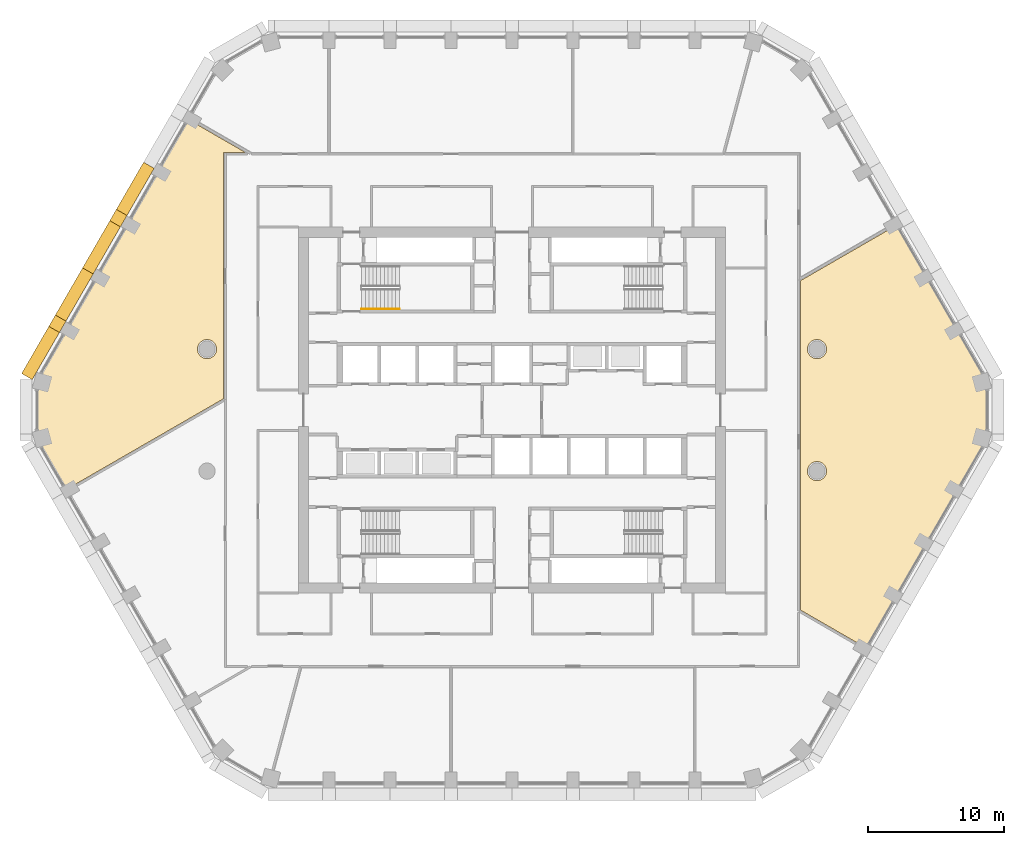
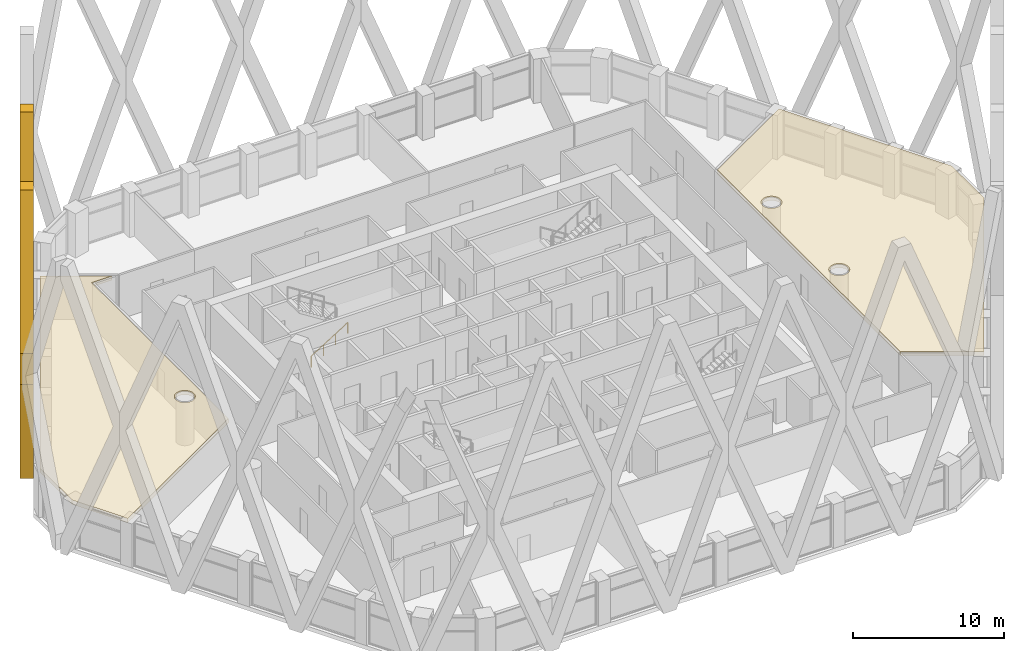
# One storey, part 19 of 24: 4 coverings, 1 railing.
"""IFC4 building model written with IfcOpenShell, lengths in metres."""

from ifc_helpers import new_model, si_unit, direction, frame, origin, origin_2d, place, context, subcontext, project, spatial, polyline, circle, outline, extrude, material, layer, layer_set, type_object, element, save


model = new_model("IFC4")

# Units and contexts
model_context = context("Model", 3, precision=1e-05, world=origin(), true_north=direction((0.0, 1.0)))
body_context = subcontext(model_context, "Body", "Model", "MODEL_VIEW")
ifc_project = project(units=[si_unit("LENGTHUNIT", "METRE"), si_unit("AREAUNIT", "SQUARE_METRE"), si_unit("VOLUMEUNIT", "CUBIC_METRE"), si_unit("PLANEANGLEUNIT", "RADIAN"), si_unit("MASSUNIT", "GRAM", prefix="KILO")], contexts=[model_context])

# Site, building, storey
site_placement = place(None, origin())
site = spatial("IfcSite", under=ifc_project, at=site_placement, CompositionType="ELEMENT")
building_placement = place(site_placement, origin())
building = spatial("IfcBuilding", under=site, at=building_placement, Name="Dhurran Vertical Campus", CompositionType="ELEMENT")
storey_placement = place(building_placement, frame((0.0, 0.0, 132.60009765625)))
storey = spatial("IfcBuildingStorey", under=building, at=storey_placement, Name="L32", CompositionType="ELEMENT", Elevation=132.60009765625)

# Coverings
ifc_material_1 = material(Name="Precast concrete C50/60", Category="concrete")
covering_type_1 = type_object("IfcCoveringType", Name="Folded precast fin lattice diamond", PredefinedType="USERDEFINED", material=ifc_material_1)
for number, where, z_axis, x_axis, name in (
    (1, (-26.397216796875, 17.83837890625, 0.0), (-0.865896406789, 0.500223362819, 0.0), (-0.500223362819, -0.865896406789, 0.0), "FN1 L32.022"),
    (2, (-30.897216796875, 10.044189453125, 0.0), (-0.866013897511, 0.50001992892, 0.0), (-0.50001992892, -0.866013897511, 0.0), "FN1 L32.023"),
):
    element("IfcCovering", number, at=place(storey_placement, frame(where, z_axis=z_axis, x_axis=x_axis)), inside=storey, type_object=covering_type_1, Name=name, ObjectType="FIN", PredefinedType="USERDEFINED", context=body_context, shape_type="SweptSolid", body=[
        extrude(outline(polyline([(9.0, 12.95361328125), (9.0, 10.4462890625), (4.982177734375, 0.0), (4.017822265625, 0.0), (0.0, 10.4462890625), (0.0, 12.95361328125), (4.017822265625, 23.39990234375), (4.982177734375, 23.39990234375), (9.0, 12.95361328125)]), holes=[polyline([(8.517822265625, 11.699951171875), (4.5, 22.146484375), (0.482177734375, 11.699951171875), (4.5, 1.253662109375), (8.517822265625, 11.699951171875)])]), origin(), (0.0, 0.0, 1.0), 0.89990234375),
    ])

# Railing
ifc_material_2 = material(Name="Stainless steel handrail", Category="steel")
railing_type = type_object("IfcRailingType", Name="co-RL-HANDRAIL-900", PredefinedType="HANDRAIL", material=ifc_material_2)
railing_placement = place(storey_placement, frame((-11.10009765625, 7.449951171875, 0.17724609375)))
element("IfcRailing", 3, at=railing_placement, inside=storey, type_object=railing_type, Name="L32 ST1 stair handrail 1", PredefinedType="HANDRAIL", context=body_context, shape_type="SweptSolid", body=[
    extrude(circle(Radius=0.02392578125, at=origin_2d()), frame((0.0, 0.0, 0.8759765625), z_axis=(0.844908973607, 0.0, 0.534910110503), x_axis=(0.0, 1.0, 0.0)), (0.0, 0.0, 1.0), 3.31396484375),
    extrude(circle(Radius=0.02099609375, at=origin_2d()), origin(), (0.0, 0.0, 1.0), 0.851806640625),
    extrude(circle(Radius=0.02099609375, at=origin_2d()), frame((0.933349609375, 0.0, 0.5908203125)), (0.0, 0.0, 1.0), 0.851806640625),
    extrude(circle(Radius=0.02099609375, at=origin_2d()), frame((1.86669921875, 0.0, 1.181884765625)), (0.0, 0.0, 1.0), 0.851806640625),
    extrude(circle(Radius=0.02099609375, at=origin_2d()), frame((2.800048828125, 0.0, 1.772705078125)), (0.0, 0.0, 1.0), 0.851806640625),
])

# Coverings
ifc_material_3 = material(Name="Mineral fibre ceiling tiles on suspended grid")
ifc_layer = layer(ifc_material_3, 0.35009765625)
ifc_layer_set = layer_set([ifc_layer], Name="Mineral fibre ceiling tiles on suspended grid")
covering_type_2 = type_object("IfcCoveringType", Name="fl-CE-350 suspended ceiling", PredefinedType="CEILING", material=ifc_layer_set)
covering_1_placement = place(storey_placement, frame((0.0, 0.0, 3.224853515625)))
element("IfcCovering", 4, at=covering_1_placement, inside=storey, type_object=covering_type_2, Name="Ceiling 32-09", PredefinedType="CEILING", context=body_context, shape_type="SweptSolid", body=[
    extrude(outline(polyline([(-19.68408203125, 19.02001953125), (-21.27001953125, 19.02001953125), (-21.27001953125, 0.847900390625), (-32.843017578125, -5.8330078125), (-34.97705078125, -2.137939453125), (-34.97705078125, 2.137939453125), (-23.843017578125, 21.422119140625), (-19.68408203125, 19.02001953125)]), holes=[polyline([(-21.830078125, 4.702880859375), (-21.85302734375, 4.76806640625), (-21.883056640625, 4.830078125), (-21.91796875, 4.888916015625), (-21.958984375, 4.944091796875), (-22.0048828125, 4.9951171875), (-22.055908203125, 5.041015625), (-22.111083984375, 5.08203125), (-22.169921875, 5.116943359375), (-22.23193359375, 5.14697265625), (-22.297119140625, 5.169921875), (-22.363037109375, 5.18701171875), (-22.430908203125, 5.197021484375), (-22.5, 5.199951171875), (-22.569091796875, 5.197021484375), (-22.636962890625, 5.18701171875), (-22.702880859375, 5.169921875), (-22.76806640625, 5.14697265625), (-22.830078125, 5.116943359375), (-22.888916015625, 5.08203125), (-22.944091796875, 5.041015625), (-22.9951171875, 4.9951171875), (-23.041015625, 4.944091796875), (-23.08203125, 4.888916015625), (-23.116943359375, 4.830078125), (-23.14697265625, 4.76806640625), (-23.169921875, 4.702880859375), (-23.18701171875, 4.636962890625), (-23.197021484375, 4.569091796875), (-23.199951171875, 4.5), (-23.197021484375, 4.430908203125), (-23.18701171875, 4.363037109375), (-23.169921875, 4.297119140625), (-23.14697265625, 4.23193359375), (-23.116943359375, 4.169921875), (-23.08203125, 4.111083984375), (-23.041015625, 4.055908203125), (-22.9951171875, 4.0048828125), (-22.944091796875, 3.958984375), (-22.888916015625, 3.91796875), (-22.830078125, 3.883056640625), (-22.76806640625, 3.85302734375), (-22.702880859375, 3.830078125), (-22.636962890625, 3.81298828125), (-22.569091796875, 3.802978515625), (-22.5, 3.800048828125), (-22.430908203125, 3.802978515625), (-22.363037109375, 3.81298828125), (-22.297119140625, 3.830078125), (-22.23193359375, 3.85302734375), (-22.169921875, 3.883056640625), (-22.111083984375, 3.91796875), (-22.055908203125, 3.958984375), (-22.0048828125, 4.0048828125), (-21.958984375, 4.055908203125), (-21.91796875, 4.111083984375), (-21.883056640625, 4.169921875), (-21.85302734375, 4.23193359375), (-21.830078125, 4.297119140625), (-21.81298828125, 4.363037109375), (-21.802978515625, 4.430908203125), (-21.800048828125, 4.5), (-21.802978515625, 4.569091796875), (-21.81298828125, 4.636962890625), (-21.830078125, 4.702880859375)])]), origin(), (0.0, 0.0, 1.0), 0.35009765625),
])
covering_2_placement = place(storey_placement, frame((0.0, 0.0, 3.224853515625)))
element("IfcCovering", 5, at=covering_2_placement, inside=storey, type_object=covering_type_2, Name="Ceiling 32-31", PredefinedType="CEILING", context=body_context, shape_type="SweptSolid", body=[
    extrude(outline(polyline([(28.343017578125, 13.626953125), (34.97705078125, 2.137939453125), (34.97705078125, -2.137939453125), (26.093017578125, -17.52392578125), (21.27001953125, -14.739990234375), (21.27001953125, 9.5439453125), (28.343017578125, 13.626953125)]), holes=[polyline([(23.18701171875, -4.363037109375), (23.169921875, -4.297119140625), (23.14697265625, -4.23193359375), (23.116943359375, -4.169921875), (23.08203125, -4.111083984375), (23.041015625, -4.055908203125), (22.9951171875, -4.0048828125), (22.944091796875, -3.958984375), (22.888916015625, -3.91796875), (22.830078125, -3.883056640625), (22.76806640625, -3.85302734375), (22.702880859375, -3.830078125), (22.636962890625, -3.81298828125), (22.569091796875, -3.802978515625), (22.5, -3.800048828125), (22.430908203125, -3.802978515625), (22.363037109375, -3.81298828125), (22.297119140625, -3.830078125), (22.23193359375, -3.85302734375), (22.169921875, -3.883056640625), (22.111083984375, -3.91796875), (22.055908203125, -3.958984375), (22.0048828125, -4.0048828125), (21.958984375, -4.055908203125), (21.91796875, -4.111083984375), (21.883056640625, -4.169921875), (21.85302734375, -4.23193359375), (21.830078125, -4.297119140625), (21.81298828125, -4.363037109375), (21.802978515625, -4.430908203125), (21.800048828125, -4.5), (21.802978515625, -4.569091796875), (21.81298828125, -4.636962890625), (21.830078125, -4.702880859375), (21.85302734375, -4.76806640625), (21.883056640625, -4.830078125), (21.91796875, -4.888916015625), (21.958984375, -4.944091796875), (22.0048828125, -4.9951171875), (22.055908203125, -5.041015625), (22.111083984375, -5.08203125), (22.169921875, -5.116943359375), (22.23193359375, -5.14697265625), (22.297119140625, -5.169921875), (22.363037109375, -5.18701171875), (22.430908203125, -5.197021484375), (22.5, -5.199951171875), (22.569091796875, -5.197021484375), (22.636962890625, -5.18701171875), (22.702880859375, -5.169921875), (22.76806640625, -5.14697265625), (22.830078125, -5.116943359375), (22.888916015625, -5.08203125), (22.944091796875, -5.041015625), (22.9951171875, -4.9951171875), (23.041015625, -4.944091796875), (23.08203125, -4.888916015625), (23.116943359375, -4.830078125), (23.14697265625, -4.76806640625), (23.169921875, -4.702880859375), (23.18701171875, -4.636962890625), (23.197021484375, -4.569091796875), (23.199951171875, -4.5), (23.197021484375, -4.430908203125), (23.18701171875, -4.363037109375)]), polyline([(23.197021484375, 4.569091796875), (23.18701171875, 4.636962890625), (23.169921875, 4.702880859375), (23.14697265625, 4.76806640625), (23.116943359375, 4.830078125), (23.08203125, 4.888916015625), (23.041015625, 4.944091796875), (22.9951171875, 4.9951171875), (22.944091796875, 5.041015625), (22.888916015625, 5.08203125), (22.830078125, 5.116943359375), (22.76806640625, 5.14697265625), (22.702880859375, 5.169921875), (22.636962890625, 5.18701171875), (22.569091796875, 5.197021484375), (22.5, 5.199951171875), (22.430908203125, 5.197021484375), (22.363037109375, 5.18701171875), (22.297119140625, 5.169921875), (22.23193359375, 5.14697265625), (22.169921875, 5.116943359375), (22.111083984375, 5.08203125), (22.055908203125, 5.041015625), (22.0048828125, 4.9951171875), (21.958984375, 4.944091796875), (21.91796875, 4.888916015625), (21.883056640625, 4.830078125), (21.85302734375, 4.76806640625), (21.830078125, 4.702880859375), (21.81298828125, 4.636962890625), (21.802978515625, 4.569091796875), (21.800048828125, 4.5), (21.802978515625, 4.430908203125), (21.81298828125, 4.363037109375), (21.830078125, 4.297119140625), (21.85302734375, 4.23193359375), (21.883056640625, 4.169921875), (21.91796875, 4.111083984375), (21.958984375, 4.055908203125), (22.0048828125, 4.0048828125), (22.055908203125, 3.958984375), (22.111083984375, 3.91796875), (22.169921875, 3.883056640625), (22.23193359375, 3.85302734375), (22.297119140625, 3.830078125), (22.363037109375, 3.81298828125), (22.430908203125, 3.802978515625), (22.5, 3.800048828125), (22.569091796875, 3.802978515625), (22.636962890625, 3.81298828125), (22.702880859375, 3.830078125), (22.76806640625, 3.85302734375), (22.830078125, 3.883056640625), (22.888916015625, 3.91796875), (22.944091796875, 3.958984375), (22.9951171875, 4.0048828125), (23.041015625, 4.055908203125), (23.08203125, 4.111083984375), (23.116943359375, 4.169921875), (23.14697265625, 4.23193359375), (23.169921875, 4.297119140625), (23.18701171875, 4.363037109375), (23.197021484375, 4.430908203125), (23.199951171875, 4.5), (23.197021484375, 4.569091796875)])]), origin(), (0.0, 0.0, 1.0), 0.35009765625),
])

save(model, "model.ifc")
